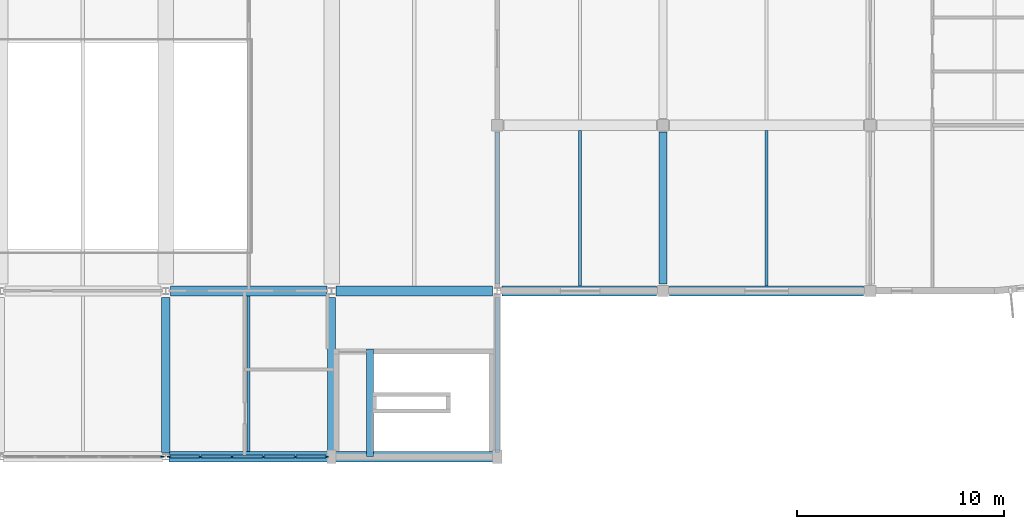
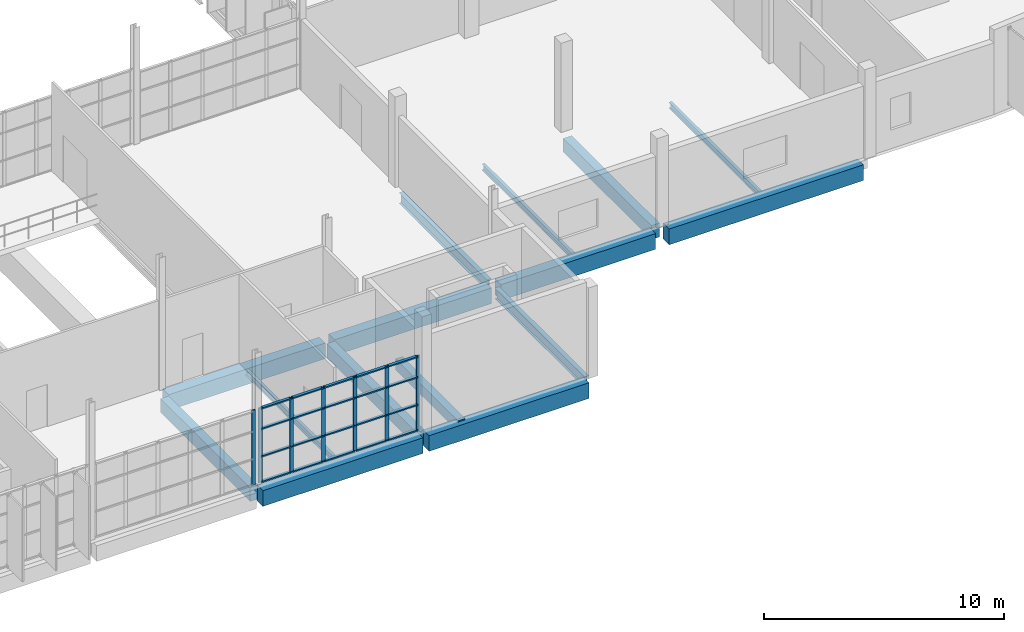
# One storey, part 39 of 93: 27 members, 15 beams, 2 elements without a shape of their own.
"""IFC4 building model written with IfcOpenShell, lengths in metres."""

from ifc_helpers import new_model, si_unit, direction, frame, origin, origin_2d, place, context, subcontext, project, spatial, rectangle, i_section, extrude, material, layer, layer_set, material_profile, profile_set, type_object, element, aggregate, save


model = new_model("IFC4")

# Units and contexts
model_context = context("Model", 3, precision=1e-05, world=origin(), true_north=direction((0.0, 1.0)))
body_context = subcontext(model_context, "Body", "Model", "MODEL_VIEW")
ifc_project = project(units=[si_unit("LENGTHUNIT", "METRE"), si_unit("AREAUNIT", "SQUARE_METRE"), si_unit("VOLUMEUNIT", "CUBIC_METRE"), si_unit("PLANEANGLEUNIT", "RADIAN"), si_unit("MASSUNIT", "GRAM", prefix="KILO")], contexts=[model_context])

# Site, building, storey
site_placement = place(None, origin())
site = spatial("IfcSite", under=ifc_project, at=site_placement, CompositionType="ELEMENT")
building_placement = place(site_placement, origin())
building = spatial("IfcBuilding", under=site, at=building_placement, Name="Drelvana Railside Aquatics Centre", CompositionType="ELEMENT")
storey_placement = place(building_placement, frame((0.0, 0.0, 5.39990234375)))
storey = spatial("IfcBuildingStorey", under=building, at=storey_placement, Name="L01", CompositionType="ELEMENT", Elevation=5.39990234375)

# Curtain wall, member
ifc_material_1 = material(Name="Bronze-anodised aluminium curtain wall", Category="aluminium")
ifc_layer = layer(ifc_material_1, 0.18994140625, Name="Bronze-anodised aluminium curtain wall")
ifc_layer_set = layer_set([ifc_layer], Name="Bronze-anodised aluminium curtain wall")
curtain_wall_type = type_object("IfcCurtainWallType", Name="CW-Z4-FOYER", PredefinedType="NOTDEFINED", material=ifc_layer_set)
curtain_wall_1_placement = place(storey_placement, origin())
curtain_wall_1 = element("IfcCurtainWall", 1, at=curtain_wall_1_placement, inside=storey, type_object=curtain_wall_type, Name="Curtain wall CW-04-108", PredefinedType="NOTDEFINED")
ifc_material_2 = material(Name="Bronze-anodised aluminium 6063-T6", Category="aluminium")
ifc_material_profile_1 = material_profile(ifc_material_2, rectangle(XDim=0.06494140625, YDim=0.175048828125, at=origin_2d()), Name="ALU-M 65x175")
ifc_profile_set_1 = profile_set([ifc_material_profile_1], Name="Bronze-anodised aluminium 6063-T6")
member_type_1 = type_object("IfcMemberType", Name="CW-Z4-FOYER-MUL", PredefinedType="MULLION", material=ifc_profile_set_1)
member_1_placement = place(storey_placement, frame((127.83349609375, 0.0, -0.005859375), z_axis=(0.0, 0.0, 1.0), x_axis=(0.0, 1.0, 0.0)))
member_1 = element("IfcMember", 2, at=member_1_placement, type_object=member_type_1, Name="CW-04 mullion 6", PredefinedType="MULLION", context=body_context, shape_type="SweptSolid", body=[
    extrude(rectangle(XDim=0.06494140625, YDim=0.175048828125, at=origin_2d()), origin(), (0.0, 0.0, 1.0), 3.805908203125),
])
aggregate(curtain_wall_1, [member_1])

# Curtain wall, members
curtain_wall_2_placement = place(storey_placement, origin())
curtain_wall_2 = element("IfcCurtainWall", 3, at=curtain_wall_2_placement, inside=storey, type_object=curtain_wall_type, Name="Curtain wall CW-04-110", PredefinedType="NOTDEFINED")
member_2_placement = place(storey_placement, frame((128.16650390625, 0.0, -0.005859375), z_axis=(0.0, 0.0, 1.0), x_axis=(0.0, 1.0, 0.0)))
member_2 = element("IfcMember", 4, at=member_2_placement, type_object=member_type_1, Name="CW-04 mullion 1", PredefinedType="MULLION", context=body_context, shape_type="SweptSolid", body=[
    extrude(rectangle(XDim=0.06494140625, YDim=0.175048828125, at=origin_2d()), origin(), (0.0, 0.0, 1.0), 3.805908203125),
])
member_3_placement = place(storey_placement, frame((129.663330078125, 0.0, -0.005859375), z_axis=(0.0, 0.0, 1.0), x_axis=(0.0, 1.0, 0.0)))
member_3 = element("IfcMember", 5, at=member_3_placement, type_object=member_type_1, Name="CW-04 mullion 2", PredefinedType="MULLION", context=body_context, shape_type="SweptSolid", body=[
    extrude(rectangle(XDim=0.06494140625, YDim=0.175048828125, at=origin_2d()), origin(), (0.0, 0.0, 1.0), 3.805908203125),
])
member_4_placement = place(storey_placement, frame((131.19287109375, 0.0, -0.005859375), z_axis=(0.0, 0.0, 1.0), x_axis=(0.0, 1.0, 0.0)))
member_4 = element("IfcMember", 6, at=member_4_placement, type_object=member_type_1, Name="CW-04 mullion 3", PredefinedType="MULLION", context=body_context, shape_type="SweptSolid", body=[
    extrude(rectangle(XDim=0.06494140625, YDim=0.175048828125, at=origin_2d()), origin(), (0.0, 0.0, 1.0), 3.805908203125),
])
member_5_placement = place(storey_placement, frame((132.72216796875, 0.0, -0.005859375), z_axis=(0.0, 0.0, 1.0), x_axis=(0.0, 1.0, 0.0)))
member_5 = element("IfcMember", 7, at=member_5_placement, type_object=member_type_1, Name="CW-04 mullion 4", PredefinedType="MULLION", context=body_context, shape_type="SweptSolid", body=[
    extrude(rectangle(XDim=0.06494140625, YDim=0.175048828125, at=origin_2d()), origin(), (0.0, 0.0, 1.0), 3.805908203125),
])
member_6_placement = place(storey_placement, frame((134.251708984375, 0.0, -0.005859375), z_axis=(0.0, 0.0, 1.0), x_axis=(0.0, 1.0, 0.0)))
member_6 = element("IfcMember", 8, at=member_6_placement, type_object=member_type_1, Name="CW-04 mullion 5", PredefinedType="MULLION", context=body_context, shape_type="SweptSolid", body=[
    extrude(rectangle(XDim=0.06494140625, YDim=0.175048828125, at=origin_2d()), origin(), (0.0, 0.0, 1.0), 3.805908203125),
])
member_7_placement = place(storey_placement, frame((135.74853515625, 0.0, -0.005859375), z_axis=(0.0, 0.0, 1.0), x_axis=(0.0, 1.0, 0.0)))
member_7 = element("IfcMember", 9, at=member_7_placement, type_object=member_type_1, Name="CW-04 mullion 6", PredefinedType="MULLION", context=body_context, shape_type="SweptSolid", body=[
    extrude(rectangle(XDim=0.06494140625, YDim=0.175048828125, at=origin_2d()), origin(), (0.0, 0.0, 1.0), 3.805908203125),
])
ifc_material_profile_2 = material_profile(ifc_material_2, rectangle(XDim=0.139892578125, YDim=0.06494140625, at=origin_2d()), Name="ALU-T 65x140")
ifc_profile_set_2 = profile_set([ifc_material_profile_2], Name="Bronze-anodised aluminium 6063-T6")
member_type_2 = type_object("IfcMemberType", Name="CW-Z4-FOYER-TRN", PredefinedType="USERDEFINED", material=ifc_profile_set_2)
member_8_placement = place(storey_placement, frame((128.194091796875, 0.0, 0.026611328125), z_axis=(1.0, 0.0, 0.0), x_axis=(0.0, 1.0, 0.0)))
member_8 = element("IfcMember", 10, at=member_8_placement, type_object=member_type_2, Name="CW-04 transom 1.1", ObjectType="TRANSOM", PredefinedType="USERDEFINED", context=body_context, shape_type="SweptSolid", body=[
    extrude(rectangle(XDim=0.139892578125, YDim=0.06494140625, at=origin_2d()), origin(), (0.0, 0.0, 1.0), 1.44189453125),
])
member_9_placement = place(storey_placement, frame((128.194091796875, 0.0, 1.326171875), z_axis=(1.0, 0.0, 0.0), x_axis=(0.0, 1.0, 0.0)))
member_9 = element("IfcMember", 11, at=member_9_placement, type_object=member_type_2, Name="CW-04 transom 1.2", ObjectType="TRANSOM", PredefinedType="USERDEFINED", context=body_context, shape_type="SweptSolid", body=[
    extrude(rectangle(XDim=0.139892578125, YDim=0.06494140625, at=origin_2d()), origin(), (0.0, 0.0, 1.0), 1.44189453125),
])
member_10_placement = place(storey_placement, frame((128.194091796875, 0.0, 2.734130859375), z_axis=(1.0, 0.0, 0.0), x_axis=(0.0, 1.0, 0.0)))
member_10 = element("IfcMember", 12, at=member_10_placement, type_object=member_type_2, Name="CW-04 transom 1.3", ObjectType="TRANSOM", PredefinedType="USERDEFINED", context=body_context, shape_type="SweptSolid", body=[
    extrude(rectangle(XDim=0.139892578125, YDim=0.06494140625, at=origin_2d()), origin(), (0.0, 0.0, 1.0), 1.44189453125),
])
member_11_placement = place(storey_placement, frame((128.194091796875, 0.0, 3.767578125), z_axis=(1.0, 0.0, 0.0), x_axis=(0.0, 1.0, 0.0)))
member_11 = element("IfcMember", 13, at=member_11_placement, type_object=member_type_2, Name="CW-04 transom 1.4", ObjectType="TRANSOM", PredefinedType="USERDEFINED", context=body_context, shape_type="SweptSolid", body=[
    extrude(rectangle(XDim=0.139892578125, YDim=0.06494140625, at=origin_2d()), origin(), (0.0, 0.0, 1.0), 1.44189453125),
])
member_12_placement = place(storey_placement, frame((129.69091796875, 0.0, 0.026611328125), z_axis=(1.0, 0.0, 0.0), x_axis=(0.0, 1.0, 0.0)))
member_12 = element("IfcMember", 14, at=member_12_placement, type_object=member_type_2, Name="CW-04 transom 2.1", ObjectType="TRANSOM", PredefinedType="USERDEFINED", context=body_context, shape_type="SweptSolid", body=[
    extrude(rectangle(XDim=0.139892578125, YDim=0.06494140625, at=origin_2d()), origin(), (0.0, 0.0, 1.0), 1.474365234375),
])
member_13_placement = place(storey_placement, frame((129.69091796875, 0.0, 1.326171875), z_axis=(1.0, 0.0, 0.0), x_axis=(0.0, 1.0, 0.0)))
member_13 = element("IfcMember", 15, at=member_13_placement, type_object=member_type_2, Name="CW-04 transom 2.2", ObjectType="TRANSOM", PredefinedType="USERDEFINED", context=body_context, shape_type="SweptSolid", body=[
    extrude(rectangle(XDim=0.139892578125, YDim=0.06494140625, at=origin_2d()), origin(), (0.0, 0.0, 1.0), 1.474365234375),
])
member_14_placement = place(storey_placement, frame((129.69091796875, 0.0, 2.734130859375), z_axis=(1.0, 0.0, 0.0), x_axis=(0.0, 1.0, 0.0)))
member_14 = element("IfcMember", 16, at=member_14_placement, type_object=member_type_2, Name="CW-04 transom 2.3", ObjectType="TRANSOM", PredefinedType="USERDEFINED", context=body_context, shape_type="SweptSolid", body=[
    extrude(rectangle(XDim=0.139892578125, YDim=0.06494140625, at=origin_2d()), origin(), (0.0, 0.0, 1.0), 1.474365234375),
])
member_15_placement = place(storey_placement, frame((129.69091796875, 0.0, 3.767578125), z_axis=(1.0, 0.0, 0.0), x_axis=(0.0, 1.0, 0.0)))
member_15 = element("IfcMember", 17, at=member_15_placement, type_object=member_type_2, Name="CW-04 transom 2.4", ObjectType="TRANSOM", PredefinedType="USERDEFINED", context=body_context, shape_type="SweptSolid", body=[
    extrude(rectangle(XDim=0.139892578125, YDim=0.06494140625, at=origin_2d()), origin(), (0.0, 0.0, 1.0), 1.474365234375),
])
member_16_placement = place(storey_placement, frame((131.22021484375, 0.0, 0.026611328125), z_axis=(1.0, 0.0, 0.0), x_axis=(0.0, 1.0, 0.0)))
member_16 = element("IfcMember", 18, at=member_16_placement, type_object=member_type_2, Name="CW-04 transom 3.1", ObjectType="TRANSOM", PredefinedType="USERDEFINED", context=body_context, shape_type="SweptSolid", body=[
    extrude(rectangle(XDim=0.139892578125, YDim=0.06494140625, at=origin_2d()), origin(), (0.0, 0.0, 1.0), 1.474365234375),
])
member_17_placement = place(storey_placement, frame((131.22021484375, 0.0, 1.326171875), z_axis=(1.0, 0.0, 0.0), x_axis=(0.0, 1.0, 0.0)))
member_17 = element("IfcMember", 19, at=member_17_placement, type_object=member_type_2, Name="CW-04 transom 3.2", ObjectType="TRANSOM", PredefinedType="USERDEFINED", context=body_context, shape_type="SweptSolid", body=[
    extrude(rectangle(XDim=0.139892578125, YDim=0.06494140625, at=origin_2d()), origin(), (0.0, 0.0, 1.0), 1.474365234375),
])
member_18_placement = place(storey_placement, frame((131.22021484375, 0.0, 2.734130859375), z_axis=(1.0, 0.0, 0.0), x_axis=(0.0, 1.0, 0.0)))
member_18 = element("IfcMember", 20, at=member_18_placement, type_object=member_type_2, Name="CW-04 transom 3.3", ObjectType="TRANSOM", PredefinedType="USERDEFINED", context=body_context, shape_type="SweptSolid", body=[
    extrude(rectangle(XDim=0.139892578125, YDim=0.06494140625, at=origin_2d()), origin(), (0.0, 0.0, 1.0), 1.474365234375),
])
member_19_placement = place(storey_placement, frame((131.22021484375, 0.0, 3.767578125), z_axis=(1.0, 0.0, 0.0), x_axis=(0.0, 1.0, 0.0)))
member_19 = element("IfcMember", 21, at=member_19_placement, type_object=member_type_2, Name="CW-04 transom 3.4", ObjectType="TRANSOM", PredefinedType="USERDEFINED", context=body_context, shape_type="SweptSolid", body=[
    extrude(rectangle(XDim=0.139892578125, YDim=0.06494140625, at=origin_2d()), origin(), (0.0, 0.0, 1.0), 1.474365234375),
])
member_20_placement = place(storey_placement, frame((132.749755859375, 0.0, 0.026611328125), z_axis=(1.0, 0.0, 0.0), x_axis=(0.0, 1.0, 0.0)))
member_20 = element("IfcMember", 22, at=member_20_placement, type_object=member_type_2, Name="CW-04 transom 4.1", ObjectType="TRANSOM", PredefinedType="USERDEFINED", context=body_context, shape_type="SweptSolid", body=[
    extrude(rectangle(XDim=0.139892578125, YDim=0.06494140625, at=origin_2d()), origin(), (0.0, 0.0, 1.0), 1.474365234375),
])
member_21_placement = place(storey_placement, frame((132.749755859375, 0.0, 1.326171875), z_axis=(1.0, 0.0, 0.0), x_axis=(0.0, 1.0, 0.0)))
member_21 = element("IfcMember", 23, at=member_21_placement, type_object=member_type_2, Name="CW-04 transom 4.2", ObjectType="TRANSOM", PredefinedType="USERDEFINED", context=body_context, shape_type="SweptSolid", body=[
    extrude(rectangle(XDim=0.139892578125, YDim=0.06494140625, at=origin_2d()), origin(), (0.0, 0.0, 1.0), 1.474365234375),
])
member_22_placement = place(storey_placement, frame((132.749755859375, 0.0, 2.734130859375), z_axis=(1.0, 0.0, 0.0), x_axis=(0.0, 1.0, 0.0)))
member_22 = element("IfcMember", 24, at=member_22_placement, type_object=member_type_2, Name="CW-04 transom 4.3", ObjectType="TRANSOM", PredefinedType="USERDEFINED", context=body_context, shape_type="SweptSolid", body=[
    extrude(rectangle(XDim=0.139892578125, YDim=0.06494140625, at=origin_2d()), origin(), (0.0, 0.0, 1.0), 1.474365234375),
])
member_23_placement = place(storey_placement, frame((132.749755859375, 0.0, 3.767578125), z_axis=(1.0, 0.0, 0.0), x_axis=(0.0, 1.0, 0.0)))
member_23 = element("IfcMember", 25, at=member_23_placement, type_object=member_type_2, Name="CW-04 transom 4.4", ObjectType="TRANSOM", PredefinedType="USERDEFINED", context=body_context, shape_type="SweptSolid", body=[
    extrude(rectangle(XDim=0.139892578125, YDim=0.06494140625, at=origin_2d()), origin(), (0.0, 0.0, 1.0), 1.474365234375),
])
member_24_placement = place(storey_placement, frame((134.279052734375, 0.0, 0.026611328125), z_axis=(1.0, 0.0, 0.0), x_axis=(0.0, 1.0, 0.0)))
member_24 = element("IfcMember", 26, at=member_24_placement, type_object=member_type_2, Name="CW-04 transom 5.1", ObjectType="TRANSOM", PredefinedType="USERDEFINED", context=body_context, shape_type="SweptSolid", body=[
    extrude(rectangle(XDim=0.139892578125, YDim=0.06494140625, at=origin_2d()), origin(), (0.0, 0.0, 1.0), 1.44189453125),
])
member_25_placement = place(storey_placement, frame((134.279052734375, 0.0, 1.326171875), z_axis=(1.0, 0.0, 0.0), x_axis=(0.0, 1.0, 0.0)))
member_25 = element("IfcMember", 27, at=member_25_placement, type_object=member_type_2, Name="CW-04 transom 5.2", ObjectType="TRANSOM", PredefinedType="USERDEFINED", context=body_context, shape_type="SweptSolid", body=[
    extrude(rectangle(XDim=0.139892578125, YDim=0.06494140625, at=origin_2d()), origin(), (0.0, 0.0, 1.0), 1.44189453125),
])
member_26_placement = place(storey_placement, frame((134.279052734375, 0.0, 2.734130859375), z_axis=(1.0, 0.0, 0.0), x_axis=(0.0, 1.0, 0.0)))
member_26 = element("IfcMember", 28, at=member_26_placement, type_object=member_type_2, Name="CW-04 transom 5.3", ObjectType="TRANSOM", PredefinedType="USERDEFINED", context=body_context, shape_type="SweptSolid", body=[
    extrude(rectangle(XDim=0.139892578125, YDim=0.06494140625, at=origin_2d()), origin(), (0.0, 0.0, 1.0), 1.44189453125),
])
member_27_placement = place(storey_placement, frame((134.279052734375, 0.0, 3.767578125), z_axis=(1.0, 0.0, 0.0), x_axis=(0.0, 1.0, 0.0)))
member_27 = element("IfcMember", 29, at=member_27_placement, type_object=member_type_2, Name="CW-04 transom 5.4", ObjectType="TRANSOM", PredefinedType="USERDEFINED", context=body_context, shape_type="SweptSolid", body=[
    extrude(rectangle(XDim=0.139892578125, YDim=0.06494140625, at=origin_2d()), origin(), (0.0, 0.0, 1.0), 1.44189453125),
])
aggregate(curtain_wall_2, [member_2, member_3, member_4, member_5, member_6, member_7, member_8, member_9, member_10, member_11, member_12, member_13, member_14, member_15, member_16, member_17, member_18, member_19, member_20, member_21, member_22, member_23, member_24, member_25, member_26, member_27])

# Beams
ifc_material_3 = material(Name="Concrete C40/50", Category="concrete")
ifc_material_profile_3 = material_profile(ifc_material_3, rectangle(XDim=0.35009765625, YDim=0.550048828125, at=origin_2d()), Name="RC 350x550")
ifc_profile_set_3 = profile_set([ifc_material_profile_3], Name="Concrete C40/50")
beam_type_1 = type_object("IfcBeamType", Name="STR-BM-BM-01-RC-350x550", PredefinedType="BEAM", material=ifc_profile_set_3)
beam_1_placement = place(storey_placement, frame((137.85009765625, 0.0, -0.474853515625), z_axis=(0.0, 1.0, 0.0), x_axis=(-1.0, 0.0, 0.0)))
element("IfcBeam", 30, at=beam_1_placement, inside=storey, type_object=beam_type_1, Name="Stair ST-10 L01 landing beam", PredefinedType="BEAM", context=body_context, shape_type="SweptSolid", body=[
    extrude(rectangle(XDim=0.35009765625, YDim=0.550048828125, at=origin_2d()), origin(), (0.0, 0.0, 1.0), 5.199951171875),
])
ifc_material_profile_4 = material_profile(ifc_material_3, rectangle(XDim=0.39990234375, YDim=0.699951171875, at=origin_2d()), Name="RC 400x700")
ifc_profile_set_4 = profile_set([ifc_material_profile_4], Name="Concrete C40/50")
beam_type_2 = type_object("IfcBeamType", Name="STR-BM-BM-03-RC-400x700", PredefinedType="BEAM", material=ifc_profile_set_4)
for number, where, z_axis, x_axis, name in (
    (31, (128.0, 0.199951171875, -0.625), (0.0, 1.0, 0.0), (-1.0, 0.0, 0.0), "Girder BM-03 (L01)"),
    (32, (136.0, 0.199951171875, -0.625), (0.0, 1.0, 0.0), (-1.0, 0.0, 0.0), "Girder BM-03 (L01)"),
):
    element("IfcBeam", number, at=place(storey_placement, frame(where, z_axis=z_axis, x_axis=x_axis)), inside=storey, type_object=beam_type_2, Name=name, PredefinedType="BEAM", context=body_context, shape_type="SweptSolid", body=[
        extrude(rectangle(XDim=0.39990234375, YDim=0.699951171875, at=origin_2d()), origin(), (0.0, 0.0, 1.0), 7.47509765625),
    ])
beam_2_placement = place(storey_placement, frame((152.0, 8.324951171875, -0.625), z_axis=(0.0, 1.0, 0.0), x_axis=(-1.0, 0.0, 0.0)))
element("IfcBeam", 33, at=beam_2_placement, inside=storey, type_object=beam_type_2, Name="Girder BM-03 (L01)", PredefinedType="BEAM", context=body_context, shape_type="SweptSolid", body=[
    extrude(rectangle(XDim=0.39990234375, YDim=0.699951171875, at=origin_2d()), origin(), (0.0, 0.0, 1.0), 7.35009765625),
])
ifc_material_profile_5 = material_profile(ifc_material_3, rectangle(XDim=0.5, YDim=0.800048828125, at=origin_2d()), Name="RC 500x800")
ifc_profile_set_5 = profile_set([ifc_material_profile_5], Name="Concrete C40/50")
beam_type_3 = type_object("IfcBeamType", Name="STR-BM-BM-06-RC-500x800", PredefinedType="SPANDREL", material=ifc_profile_set_5)
for number, where, z_axis, x_axis, name in (
    (34, (128.14990234375, 0.0, -0.6748046875), (1.0, 0.0, 0.0), (0.0, 1.0, 0.0), "Girder BM-06 (L01)"),
    (35, (136.14990234375, 0.0, -0.6748046875), (1.0, 0.0, 0.0), (0.0, 1.0, 0.0), "Girder BM-06 (L01)"),
):
    element("IfcBeam", number, at=place(storey_placement, frame(where, z_axis=z_axis, x_axis=x_axis)), inside=storey, type_object=beam_type_3, Name=name, PredefinedType="SPANDREL", context=body_context, shape_type="SweptSolid", body=[
        extrude(rectangle(XDim=0.5, YDim=0.800048828125, at=origin_2d()), origin(), (0.0, 0.0, 1.0), 7.7001953125),
    ])
for number, where, z_axis, x_axis, name in (
    (36, (128.22509765625, 8.0, -0.6748046875), (1.0, 0.0, 0.0), (0.0, 1.0, 0.0), "Girder BM-06 (L01)"),
    (37, (136.22509765625, 8.0, -0.6748046875), (1.0, 0.0, 0.0), (0.0, 1.0, 0.0), "Girder BM-06 (L01)"),
):
    element("IfcBeam", number, at=place(storey_placement, frame(where, z_axis=z_axis, x_axis=x_axis)), inside=storey, type_object=beam_type_3, Name=name, PredefinedType="SPANDREL", context=body_context, shape_type="SweptSolid", body=[
        extrude(rectangle(XDim=0.5, YDim=0.800048828125, at=origin_2d()), origin(), (0.0, 0.0, 1.0), 7.5498046875),
    ])
beam_3_placement = place(storey_placement, frame((144.22509765625, 8.0, -0.6748046875), z_axis=(1.0, 0.0, 0.0), x_axis=(0.0, 1.0, 0.0)))
element("IfcBeam", 38, at=beam_3_placement, inside=storey, type_object=beam_type_3, Name="Girder BM-06 (L01)", PredefinedType="SPANDREL", context=body_context, shape_type="SweptSolid", body=[
    extrude(rectangle(XDim=0.5, YDim=0.800048828125, at=origin_2d()), origin(), (0.0, 0.0, 1.0), 7.449951171875),
])
beam_4_placement = place(storey_placement, frame((152.324951171875, 8.0, -0.6748046875), z_axis=(1.0, 0.0, 0.0), x_axis=(0.0, 1.0, 0.0)))
element("IfcBeam", 39, at=beam_4_placement, inside=storey, type_object=beam_type_3, Name="Girder BM-06 (L01)", PredefinedType="SPANDREL", context=body_context, shape_type="SweptSolid", body=[
    extrude(rectangle(XDim=0.5, YDim=0.800048828125, at=origin_2d()), origin(), (0.0, 0.0, 1.0), 9.35009765625),
])
ifc_material_4 = material(Name="Structural steel S355", Category="steel")
ifc_material_profile_6 = material_profile(ifc_material_4, i_section(OverallWidth=0.2099609375, OverallDepth=0.550048828125, WebThickness=0.010986328125, FlangeThickness=0.01708984375, at=origin_2d()), Name="IPE 550")
ifc_profile_set_6 = profile_set([ifc_material_profile_6], Name="Structural steel S355")
beam_type_4 = type_object("IfcBeamType", Name="STR-SBM-SB-04-IPE-550", PredefinedType="SPANDREL", material=ifc_profile_set_6)
beam_5_placement = place(storey_placement, frame((144.0, 0.199951171875, -0.5498046875), z_axis=(0.0, 1.0, 0.0), x_axis=(-1.0, 0.0, 0.0)))
element("IfcBeam", 40, at=beam_5_placement, inside=storey, type_object=beam_type_4, Name="Girder SB-04 (L01)", PredefinedType="SPANDREL", context=body_context, shape_type="SweptSolid", body=[
    extrude(i_section(OverallWidth=0.2099609375, OverallDepth=0.550048828125, WebThickness=0.010986328125, FlangeThickness=0.01708984375, at=origin_2d()), origin(), (0.0, 0.0, 1.0), 7.47509765625),
])
beam_6_placement = place(storey_placement, frame((144.0, 8.324951171875, -0.5498046875), z_axis=(0.0, 1.0, 0.0), x_axis=(-1.0, 0.0, 0.0)))
element("IfcBeam", 41, at=beam_6_placement, inside=storey, type_object=beam_type_4, Name="Girder SB-04 (L01)", PredefinedType="SPANDREL", context=body_context, shape_type="SweptSolid", body=[
    extrude(i_section(OverallWidth=0.2099609375, OverallDepth=0.550048828125, WebThickness=0.010986328125, FlangeThickness=0.01708984375, at=origin_2d()), origin(), (0.0, 0.0, 1.0), 7.35009765625),
])
ifc_material_profile_7 = material_profile(ifc_material_4, i_section(OverallWidth=0.14990234375, OverallDepth=0.300048828125, WebThickness=0.007080078125, FlangeThickness=0.0107421875, at=origin_2d()), Name="IPE 300")
ifc_profile_set_7 = profile_set([ifc_material_profile_7], Name="Structural steel S355")
beam_type_5 = type_object("IfcBeamType", Name="STR-SBM-SJ-03-IPE-300", PredefinedType="JOIST", material=ifc_profile_set_7)
for number, where, z_axis, x_axis, name in (
    (42, (132.0, 0.25, -0.4248046875), (0.0, 1.0, 0.0), (-1.0, 0.0, 0.0), "Secondary floor joist SJ-03 (L01)"),
    (43, (148.0, 8.25, -0.4248046875), (0.0, 1.0, 0.0), (-1.0, 0.0, 0.0), "Secondary floor joist SJ-03 (L01)"),
    (44, (157.0, 8.25, -0.4248046875), (0.0, 1.0, 0.0), (-1.0, 0.0, 0.0), "Secondary floor joist SJ-03 (L01)"),
):
    element("IfcBeam", number, at=place(storey_placement, frame(where, z_axis=z_axis, x_axis=x_axis)), inside=storey, type_object=beam_type_5, Name=name, PredefinedType="JOIST", context=body_context, shape_type="SweptSolid", body=[
        extrude(i_section(OverallWidth=0.14990234375, OverallDepth=0.300048828125, WebThickness=0.007080078125, FlangeThickness=0.0107421875, at=origin_2d()), origin(), (0.0, 0.0, 1.0), 7.5),
    ])

save(model, "model.ifc")
